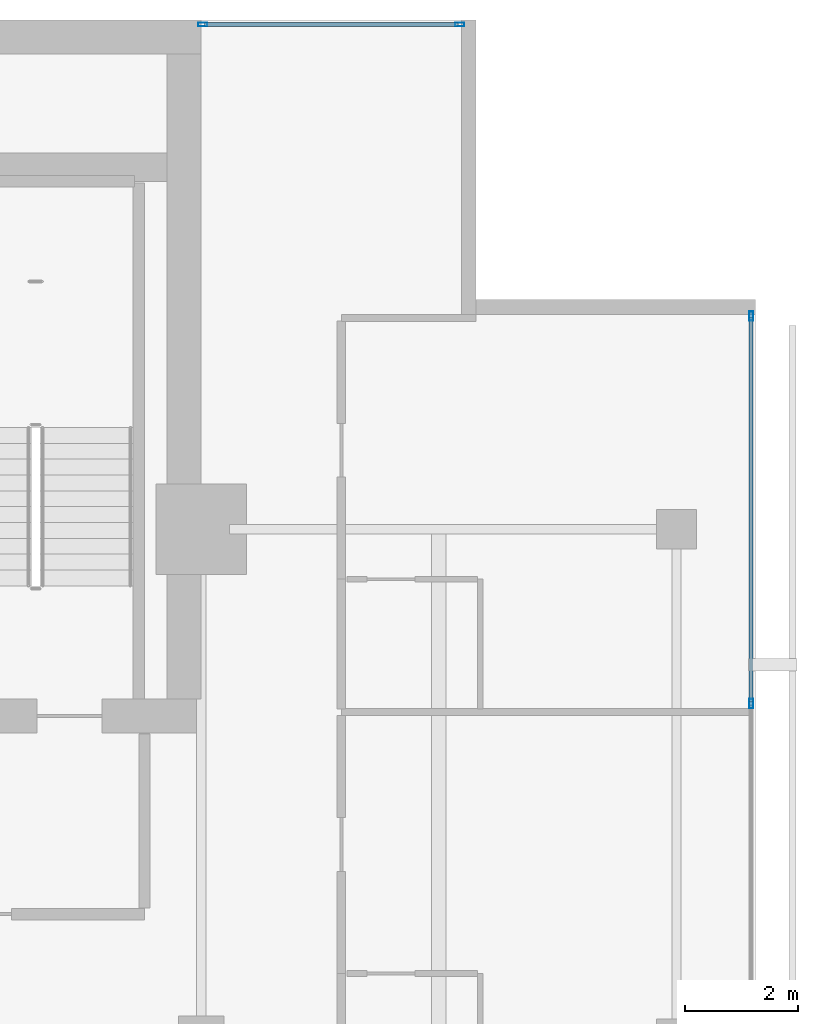
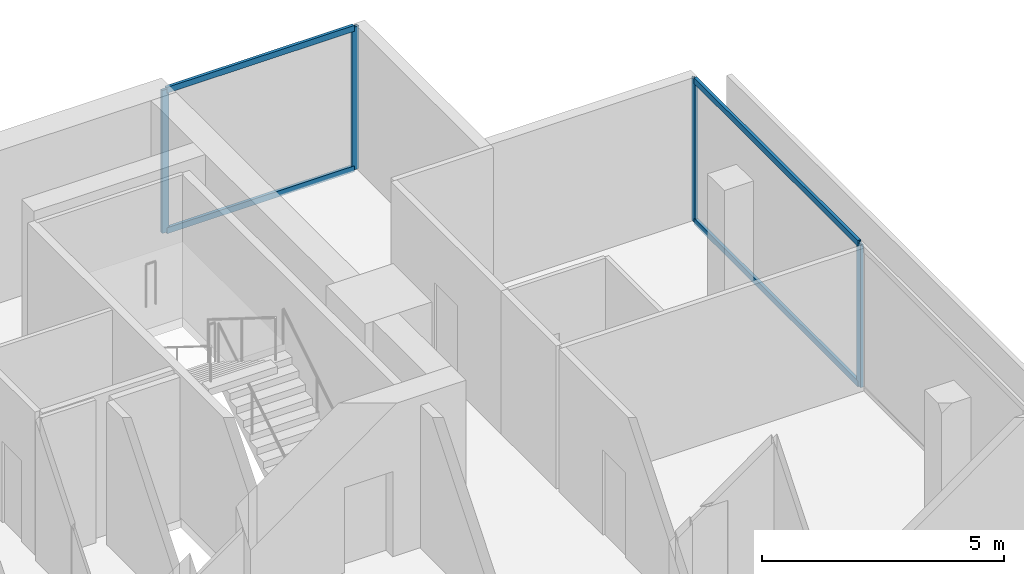
# One storey, part 18 of 26: 8 members, 2 elements without a shape of their own.
"""IFC4 building model written with IfcOpenShell, lengths in metres."""

from ifc_helpers import new_model, si_unit, direction, frame, origin, origin_2d, place, context, subcontext, project, spatial, hollow_rectangle, extrude, material, layer, layer_set, material_profile, profile_set, type_object, element, aggregate, save


model = new_model("IFC4")

# Units and contexts
model_context = context("Model", 3, precision=1e-05, world=origin(), true_north=direction((0.0, 1.0)))
body_context = subcontext(model_context, "Body", "Model", "MODEL_VIEW")
ifc_project = project(units=[si_unit("LENGTHUNIT", "METRE"), si_unit("AREAUNIT", "SQUARE_METRE"), si_unit("VOLUMEUNIT", "CUBIC_METRE"), si_unit("PLANEANGLEUNIT", "RADIAN"), si_unit("MASSUNIT", "GRAM", prefix="KILO")], contexts=[model_context])

# Site, building, storey
site_placement = place(None, origin())
site = spatial("IfcSite", under=ifc_project, at=site_placement, CompositionType="ELEMENT")
building_placement = place(site_placement, origin())
building = spatial("IfcBuilding", under=site, at=building_placement, Name="Maruvema Waterfront Hotel and Observation Tower", CompositionType="ELEMENT")
storey_placement = place(building_placement, frame((0.0, 0.0, 301.0)))
storey = spatial("IfcBuildingStorey", under=building, at=storey_placement, Name="L74", CompositionType="ELEMENT", Elevation=301.0)

# Curtain wall, members
ifc_material_1 = material(Name="Anodised bronze aluminium and solar-control low-E IGU", Category="aluminium")
ifc_layer = layer(ifc_material_1, 0.159912109375, Name="Zone 3 Champagne Inner Thermal Curtain Wall System CW-04")
ifc_layer_set = layer_set([ifc_layer], Name="Anodised bronze aluminium and solar-control low-E IGU")
curtain_wall_type = type_object("IfcCurtainWallType", Name="Zone 3 Champagne Inner Thermal Curtain Wall System CW-04", PredefinedType="USERDEFINED", material=ifc_layer_set)
curtain_wall_1_placement = place(storey_placement, origin())
curtain_wall_1 = element("IfcCurtainWall", 1, at=curtain_wall_1_placement, inside=storey, type_object=curtain_wall_type, Name="L74 Curtain Wall CW-L74-E", ObjectType="UNITISED CURTAIN WALL", PredefinedType="USERDEFINED")
ifc_material_2 = material(Name="Anodised architectural bronze aluminium", Category="aluminium")
ifc_material_profile_1 = material_profile(ifc_material_2, hollow_rectangle(XDim=0.070068359375, YDim=0.14990234375, WallThickness=0.00390625, at=origin_2d()), Name="ALU-T70x150")
ifc_profile_set_1 = profile_set([ifc_material_profile_1], Name="Anodised architectural bronze aluminium")
member_type_1 = type_object("IfcMemberType", Name="Curtain Wall Horizontal Transom ALU-T70x150", PredefinedType="USERDEFINED", material=ifc_profile_set_1)
member_1_placement = place(storey_placement, frame((60.1201171875, 41.949951171875, 0.030029296875), z_axis=(0.0, 1.0, 0.0), x_axis=(-1.0, 0.0, 0.0)))
member_1 = element("IfcMember", 2, at=member_1_placement, type_object=member_type_1, Name="CW-04 transom 5.1", ObjectType="TRANSOM", PredefinedType="USERDEFINED", context=body_context, shape_type="SweptSolid", body=[
    extrude(hollow_rectangle(XDim=0.070068359375, YDim=0.14990234375, WallThickness=0.00390625, at=origin_2d()), origin(), (0.0, 0.0, 1.0), 6.7900390625),
])
member_2_placement = place(storey_placement, frame((60.1201171875, 41.949951171875, 3.580078125), z_axis=(0.0, 1.0, 0.0), x_axis=(-1.0, 0.0, 0.0)))
member_2 = element("IfcMember", 3, at=member_2_placement, type_object=member_type_1, Name="CW-04 transom 5.2", ObjectType="TRANSOM", PredefinedType="USERDEFINED", context=body_context, shape_type="SweptSolid", body=[
    extrude(hollow_rectangle(XDim=0.070068359375, YDim=0.14990234375, WallThickness=0.00390625, at=origin_2d()), origin(), (0.0, 0.0, 1.0), 6.7900390625),
])

curtain_wall_2_placement = place(storey_placement, origin())
curtain_wall_2 = element("IfcCurtainWall", 4, at=curtain_wall_2_placement, inside=storey, type_object=curtain_wall_type, Name="L74 Curtain Wall CW-L74-NE", ObjectType="UNITISED CURTAIN WALL", PredefinedType="USERDEFINED")
member_3_placement = place(storey_placement, frame((54.93994140625, 53.919921875, 0.030029296875), z_axis=(-1.0, 0.0, 0.0), x_axis=(0.0, -1.0, 0.0)))
member_3 = element("IfcMember", 5, at=member_3_placement, type_object=member_type_1, Name="CW-04 transom 1.1", ObjectType="TRANSOM", PredefinedType="USERDEFINED", context=body_context, shape_type="SweptSolid", body=[
    extrude(hollow_rectangle(XDim=0.070068359375, YDim=0.14990234375, WallThickness=0.00390625, at=origin_2d()), origin(), (0.0, 0.0, 1.0), 4.47998046875),
])
member_4_placement = place(storey_placement, frame((54.93994140625, 53.919921875, 3.580078125), z_axis=(-1.0, 0.0, 0.0), x_axis=(0.0, -1.0, 0.0)))
member_4 = element("IfcMember", 6, at=member_4_placement, type_object=member_type_1, Name="CW-04 transom 1.2", ObjectType="TRANSOM", PredefinedType="USERDEFINED", context=body_context, shape_type="SweptSolid", body=[
    extrude(hollow_rectangle(XDim=0.070068359375, YDim=0.14990234375, WallThickness=0.00390625, at=origin_2d()), origin(), (0.0, 0.0, 1.0), 4.47998046875),
])

# Member
ifc_material_3 = material(Name="Anodised architectural bronze aluminium", Category="aluminium")
ifc_material_profile_2 = material_profile(ifc_material_3, hollow_rectangle(XDim=0.06494140625, YDim=0.1650390625, WallThickness=0.00390625, at=origin_2d()), Name="ALU-M65x165")
ifc_profile_set_2 = profile_set([ifc_material_profile_2], Name="Anodised architectural bronze aluminium")
member_type_2 = type_object("IfcMemberType", Name="Curtain Wall Primary Mullion ALU-M65x165", PredefinedType="MULLION", material=ifc_profile_set_2)
member_5_placement = place(storey_placement, frame((60.1201171875, 41.919921875, 0.0), z_axis=(0.0, 0.0, 1.0), x_axis=(-1.0, 0.0, 0.0)))
member_5 = element("IfcMember", 7, at=member_5_placement, type_object=member_type_2, Name="CW-04 mullion 5", PredefinedType="MULLION", context=body_context, shape_type="SweptSolid", body=[
    extrude(hollow_rectangle(XDim=0.06494140625, YDim=0.1650390625, WallThickness=0.00390625, at=origin_2d()), origin(), (0.0, 0.0, 1.0), 3.610107421875),
])

member_6_placement = place(storey_placement, frame((60.1201171875, 48.77001953125, 0.0), z_axis=(0.0, 0.0, 1.0), x_axis=(-1.0, 0.0, 0.0)))
member_6 = element("IfcMember", 8, at=member_6_placement, type_object=member_type_2, Name="CW-04 mullion 6", PredefinedType="MULLION", context=body_context, shape_type="SweptSolid", body=[
    extrude(hollow_rectangle(XDim=0.06494140625, YDim=0.1650390625, WallThickness=0.00390625, at=origin_2d()), origin(), (0.0, 0.0, 1.0), 3.610107421875),
])

aggregate(curtain_wall_1, [member_5, member_6, member_1, member_2])

member_7_placement = place(storey_placement, frame((54.969970703125, 53.919921875, 0.0), z_axis=(0.0, 0.0, 1.0), x_axis=(0.0, -1.0, 0.0)))
member_7 = element("IfcMember", 9, at=member_7_placement, type_object=member_type_2, Name="CW-04 mullion 1", PredefinedType="MULLION", context=body_context, shape_type="SweptSolid", body=[
    extrude(hollow_rectangle(XDim=0.06494140625, YDim=0.1650390625, WallThickness=0.00390625, at=origin_2d()), origin(), (0.0, 0.0, 1.0), 3.610107421875),
])

member_8_placement = place(storey_placement, frame((50.429931640625, 53.919921875, 0.0), z_axis=(0.0, 0.0, 1.0), x_axis=(0.0, -1.0, 0.0)))
member_8 = element("IfcMember", 10, at=member_8_placement, type_object=member_type_2, Name="CW-04 mullion 2", PredefinedType="MULLION", context=body_context, shape_type="SweptSolid", body=[
    extrude(hollow_rectangle(XDim=0.06494140625, YDim=0.1650390625, WallThickness=0.00390625, at=origin_2d()), origin(), (0.0, 0.0, 1.0), 3.610107421875),
])

aggregate(curtain_wall_2, [member_7, member_8, member_3, member_4])

save(model, "model.ifc")
